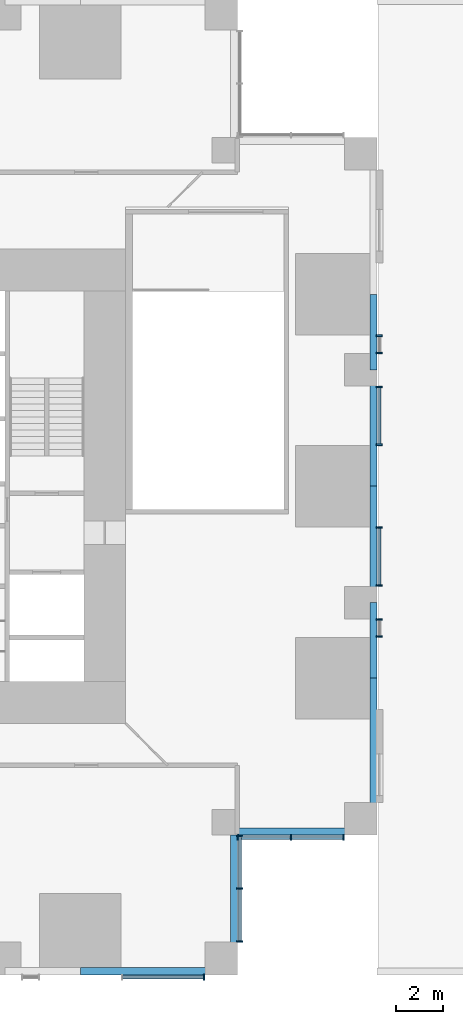
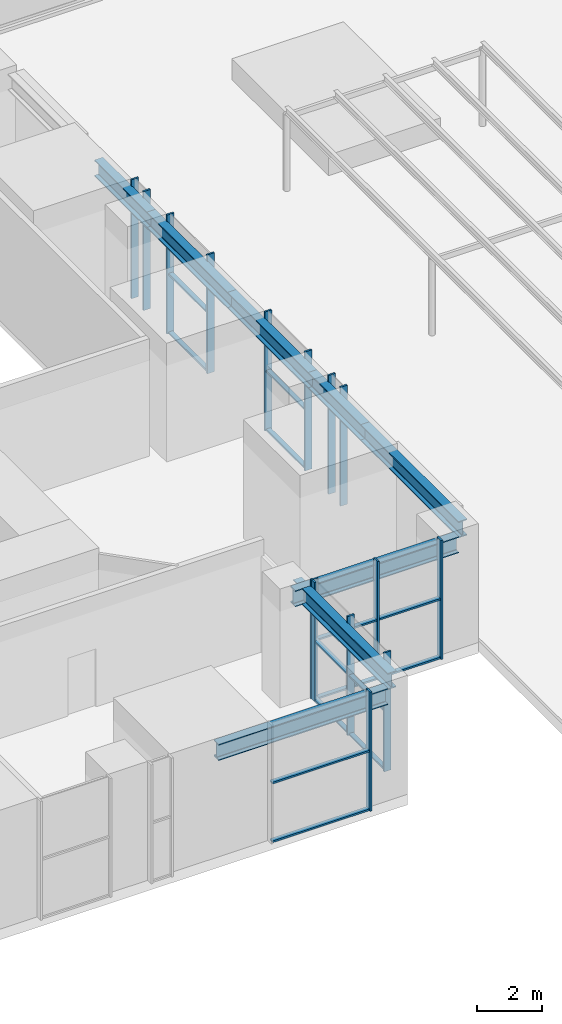
# One storey, part 4 of 14: 29 members, 8 beams, 7 elements without a shape of their own.
"""IFC4 building model written with IfcOpenShell, lengths in metres."""

from ifc_helpers import new_model, si_unit, direction, frame, origin, origin_2d, place, context, subcontext, project, spatial, rectangle, i_section, extrude, material, material_profile, profile_set, type_object, element, aggregate, save


model = new_model("IFC4")

# Units and contexts
model_context = context("Model", 3, precision=1e-05, world=origin(), true_north=direction((0.0, 1.0)))
body_context = subcontext(model_context, "Body", "Model", "MODEL_VIEW")
ifc_project = project(units=[si_unit("LENGTHUNIT", "METRE"), si_unit("AREAUNIT", "SQUARE_METRE"), si_unit("VOLUMEUNIT", "CUBIC_METRE"), si_unit("PLANEANGLEUNIT", "RADIAN"), si_unit("MASSUNIT", "GRAM", prefix="KILO")], contexts=[model_context])

# Site, building, storey
site_placement = place(None, origin())
site = spatial("IfcSite", under=ifc_project, at=site_placement, CompositionType="ELEMENT")
building_placement = place(site_placement, origin())
building = spatial("IfcBuilding", under=site, at=building_placement, Name="Svetlomir Tower", CompositionType="ELEMENT")
storey_placement = place(building_placement, frame((0.0, 0.0, 18.0)))
storey = spatial("IfcBuildingStorey", under=building, at=storey_placement, Name="L03", CompositionType="ELEMENT", Elevation=18.0)

# Curtain wall, member
ifc_material_1 = material(Name="Bronze anodised aluminium curtain wall", Category="aluminium")
curtain_wall_type = type_object("IfcCurtainWallType", Name="CURTAIN WALL CW2 SKY LOBBY", PredefinedType="NOTDEFINED", material=ifc_material_1)
curtain_wall_1_placement = place(storey_placement, origin())
curtain_wall_1 = element("IfcCurtainWall", 1, at=curtain_wall_1_placement, inside=storey, type_object=curtain_wall_type, Name="Curtain wall CW2 L03", PredefinedType="NOTDEFINED")
ifc_material_2 = material(Name="Bronze anodised aluminium", Category="aluminium")
ifc_material_profile_1 = material_profile(ifc_material_2, rectangle(XDim=0.06494140625, YDim=0.25, at=origin_2d()), Name="AL 65x250")
ifc_profile_set_1 = profile_set([ifc_material_profile_1], Name="Bronze anodised aluminium 6063-T6")
member_type_1 = type_object("IfcMemberType", Name="CW2 MULLION 65x250", PredefinedType="MULLION", material=ifc_profile_set_1)
member_1_placement = place(storey_placement, frame((34.5673828125, -0.10009765625, 0.0), z_axis=(0.0, 0.0, 1.0), x_axis=(1.0, 0.0, 0.0)))
member_1 = element("IfcMember", 2, at=member_1_placement, type_object=member_type_1, Name="CW2 mullion 2", PredefinedType="MULLION", context=body_context, shape_type="SweptSolid", body=[
    extrude(rectangle(XDim=0.06494140625, YDim=0.25, at=origin_2d()), origin(), (0.0, 0.0, 1.0), 4.5),
])

# Curtain wall, members
curtain_wall_2_placement = place(storey_placement, origin())
curtain_wall_2 = element("IfcCurtainWall", 3, at=curtain_wall_2_placement, inside=storey, type_object=curtain_wall_type, Name="Curtain wall CW2 L03", PredefinedType="NOTDEFINED")
member_2_placement = place(storey_placement, frame((36.10009765625, 1.4326171875, 0.0), z_axis=(0.0, 0.0, 1.0), x_axis=(0.0, 1.0, 0.0)))
member_2 = element("IfcMember", 4, at=member_2_placement, type_object=member_type_1, Name="CW2 mullion 1", PredefinedType="MULLION", context=body_context, shape_type="SweptSolid", body=[
    extrude(rectangle(XDim=0.06494140625, YDim=0.25, at=origin_2d()), origin(), (0.0, 0.0, 1.0), 4.5),
])
member_3_placement = place(storey_placement, frame((36.10009765625, 3.699951171875, 0.0), z_axis=(0.0, 0.0, 1.0), x_axis=(0.0, 1.0, 0.0)))
member_3 = element("IfcMember", 5, at=member_3_placement, type_object=member_type_1, Name="CW2 mullion 2", PredefinedType="MULLION", context=body_context, shape_type="SweptSolid", body=[
    extrude(rectangle(XDim=0.06494140625, YDim=0.25, at=origin_2d()), origin(), (0.0, 0.0, 1.0), 4.5),
])
member_4_placement = place(storey_placement, frame((36.10009765625, 5.967529296875, 0.0), z_axis=(0.0, 0.0, 1.0), x_axis=(0.0, 1.0, 0.0)))
member_4 = element("IfcMember", 6, at=member_4_placement, type_object=member_type_1, Name="CW2 mullion 3", PredefinedType="MULLION", context=body_context, shape_type="SweptSolid", body=[
    extrude(rectangle(XDim=0.06494140625, YDim=0.25, at=origin_2d()), origin(), (0.0, 0.0, 1.0), 4.5),
])

curtain_wall_3_placement = place(storey_placement, origin())
curtain_wall_3 = element("IfcCurtainWall", 7, at=curtain_wall_3_placement, inside=storey, type_object=curtain_wall_type, Name="Curtain wall CW2 L03", PredefinedType="NOTDEFINED")
member_5_placement = place(storey_placement, frame((36.032470703125, 5.89990234375, 0.0), z_axis=(0.0, 0.0, 1.0), x_axis=(1.0, 0.0, 0.0)))
member_5 = element("IfcMember", 8, at=member_5_placement, type_object=member_type_1, Name="CW2 mullion 1", PredefinedType="MULLION", context=body_context, shape_type="SweptSolid", body=[
    extrude(rectangle(XDim=0.06494140625, YDim=0.25, at=origin_2d()), origin(), (0.0, 0.0, 1.0), 4.5),
])
member_6_placement = place(storey_placement, frame((38.300048828125, 5.89990234375, 0.0), z_axis=(0.0, 0.0, 1.0), x_axis=(1.0, 0.0, 0.0)))
member_6 = element("IfcMember", 9, at=member_6_placement, type_object=member_type_1, Name="CW2 mullion 2", PredefinedType="MULLION", context=body_context, shape_type="SweptSolid", body=[
    extrude(rectangle(XDim=0.06494140625, YDim=0.25, at=origin_2d()), origin(), (0.0, 0.0, 1.0), 4.5),
])
member_7_placement = place(storey_placement, frame((40.5673828125, 5.89990234375, 0.0), z_axis=(0.0, 0.0, 1.0), x_axis=(1.0, 0.0, 0.0)))
member_7 = element("IfcMember", 10, at=member_7_placement, type_object=member_type_1, Name="CW2 mullion 3", PredefinedType="MULLION", context=body_context, shape_type="SweptSolid", body=[
    extrude(rectangle(XDim=0.06494140625, YDim=0.25, at=origin_2d()), origin(), (0.0, 0.0, 1.0), 4.5),
])

curtain_wall_4_placement = place(storey_placement, origin())
curtain_wall_4 = element("IfcCurtainWall", 11, at=curtain_wall_4_placement, inside=storey, type_object=curtain_wall_type, Name="Curtain wall CW2 L03", PredefinedType="NOTDEFINED")
member_8_placement = place(storey_placement, frame((42.10009765625, 14.532470703125, 0.0), z_axis=(0.0, 0.0, 1.0), x_axis=(0.0, 1.0, 0.0)))
member_8 = element("IfcMember", 12, at=member_8_placement, type_object=member_type_1, Name="CW2 mullion 1", PredefinedType="MULLION", context=body_context, shape_type="SweptSolid", body=[
    extrude(rectangle(XDim=0.06494140625, YDim=0.25, at=origin_2d()), origin(), (0.0, 0.0, 1.0), 4.5),
])
member_9_placement = place(storey_placement, frame((42.10009765625, 15.267578125, 0.0), z_axis=(0.0, 0.0, 1.0), x_axis=(0.0, 1.0, 0.0)))
member_9 = element("IfcMember", 13, at=member_9_placement, type_object=member_type_1, Name="CW2 mullion 2", PredefinedType="MULLION", context=body_context, shape_type="SweptSolid", body=[
    extrude(rectangle(XDim=0.06494140625, YDim=0.25, at=origin_2d()), origin(), (0.0, 0.0, 1.0), 4.5),
])
aggregate(curtain_wall_4, [member_8, member_9])

curtain_wall_5_placement = place(storey_placement, origin())
curtain_wall_5 = element("IfcCurtainWall", 14, at=curtain_wall_5_placement, inside=storey, type_object=curtain_wall_type, Name="Curtain wall CW2 L03", PredefinedType="NOTDEFINED")
member_10_placement = place(storey_placement, frame((42.10009765625, 16.732421875, 0.0), z_axis=(0.0, 0.0, 1.0), x_axis=(0.0, 1.0, 0.0)))
member_10 = element("IfcMember", 15, at=member_10_placement, type_object=member_type_1, Name="CW2 mullion 1", PredefinedType="MULLION", context=body_context, shape_type="SweptSolid", body=[
    extrude(rectangle(XDim=0.06494140625, YDim=0.25, at=origin_2d()), origin(), (0.0, 0.0, 1.0), 4.5),
])
member_11_placement = place(storey_placement, frame((42.10009765625, 19.217529296875, 0.0), z_axis=(0.0, 0.0, 1.0), x_axis=(0.0, 1.0, 0.0)))
member_11 = element("IfcMember", 16, at=member_11_placement, type_object=member_type_1, Name="CW2 mullion 2", PredefinedType="MULLION", context=body_context, shape_type="SweptSolid", body=[
    extrude(rectangle(XDim=0.06494140625, YDim=0.25, at=origin_2d()), origin(), (0.0, 0.0, 1.0), 4.5),
])

curtain_wall_6_placement = place(storey_placement, origin())
curtain_wall_6 = element("IfcCurtainWall", 17, at=curtain_wall_6_placement, inside=storey, type_object=curtain_wall_type, Name="Curtain wall CW2 L03", PredefinedType="NOTDEFINED")
member_12_placement = place(storey_placement, frame((42.10009765625, 22.782470703125, 0.0), z_axis=(0.0, 0.0, 1.0), x_axis=(0.0, 1.0, 0.0)))
member_12 = element("IfcMember", 18, at=member_12_placement, type_object=member_type_1, Name="CW2 mullion 1", PredefinedType="MULLION", context=body_context, shape_type="SweptSolid", body=[
    extrude(rectangle(XDim=0.06494140625, YDim=0.25, at=origin_2d()), origin(), (0.0, 0.0, 1.0), 4.5),
])
member_13_placement = place(storey_placement, frame((42.10009765625, 25.267578125, 0.0), z_axis=(0.0, 0.0, 1.0), x_axis=(0.0, 1.0, 0.0)))
member_13 = element("IfcMember", 19, at=member_13_placement, type_object=member_type_1, Name="CW2 mullion 2", PredefinedType="MULLION", context=body_context, shape_type="SweptSolid", body=[
    extrude(rectangle(XDim=0.06494140625, YDim=0.25, at=origin_2d()), origin(), (0.0, 0.0, 1.0), 4.5),
])

curtain_wall_7_placement = place(storey_placement, origin())
curtain_wall_7 = element("IfcCurtainWall", 20, at=curtain_wall_7_placement, inside=storey, type_object=curtain_wall_type, Name="Curtain wall CW2 L03", PredefinedType="NOTDEFINED")
member_14_placement = place(storey_placement, frame((42.10009765625, 26.732421875, 0.0), z_axis=(0.0, 0.0, 1.0), x_axis=(0.0, 1.0, 0.0)))
member_14 = element("IfcMember", 21, at=member_14_placement, type_object=member_type_1, Name="CW2 mullion 1", PredefinedType="MULLION", context=body_context, shape_type="SweptSolid", body=[
    extrude(rectangle(XDim=0.06494140625, YDim=0.25, at=origin_2d()), origin(), (0.0, 0.0, 1.0), 4.5),
])
member_15_placement = place(storey_placement, frame((42.10009765625, 27.467529296875, 0.0), z_axis=(0.0, 0.0, 1.0), x_axis=(0.0, 1.0, 0.0)))
member_15 = element("IfcMember", 22, at=member_15_placement, type_object=member_type_1, Name="CW2 mullion 2", PredefinedType="MULLION", context=body_context, shape_type="SweptSolid", body=[
    extrude(rectangle(XDim=0.06494140625, YDim=0.25, at=origin_2d()), origin(), (0.0, 0.0, 1.0), 4.5),
])
aggregate(curtain_wall_7, [member_14, member_15])

# Member
ifc_material_3 = material(Name="Bronze anodised aluminium", Category="aluminium")
ifc_material_profile_2 = material_profile(ifc_material_3, rectangle(XDim=0.159912109375, YDim=0.06494140625, at=origin_2d()), Name="AL 160x65")
ifc_profile_set_2 = profile_set([ifc_material_profile_2], Name="Bronze anodised aluminium 6063-T6")
member_type_2 = type_object("IfcMemberType", Name="CW2 TRANSOM 65x160", PredefinedType="USERDEFINED", material=ifc_profile_set_2)
member_16_placement = place(storey_placement, frame((31.06494140625, -0.10009765625, 0.032470703125), z_axis=(1.0, 0.0, 0.0), x_axis=(0.0, 1.0, 0.0)))
member_16 = element("IfcMember", 23, at=member_16_placement, type_object=member_type_2, Name="CW2 transom 1.1", ObjectType="TRANSOM", PredefinedType="USERDEFINED", context=body_context, shape_type="SweptSolid", body=[
    extrude(rectangle(XDim=0.159912109375, YDim=0.06494140625, at=origin_2d()), origin(), (0.0, 0.0, 1.0), 3.469970703125),
])

member_17_placement = place(storey_placement, frame((31.06494140625, -0.10009765625, 2.25), z_axis=(1.0, 0.0, 0.0), x_axis=(0.0, 1.0, 0.0)))
member_17 = element("IfcMember", 24, at=member_17_placement, type_object=member_type_2, Name="CW2 transom 1.2", ObjectType="TRANSOM", PredefinedType="USERDEFINED", context=body_context, shape_type="SweptSolid", body=[
    extrude(rectangle(XDim=0.159912109375, YDim=0.06494140625, at=origin_2d()), origin(), (0.0, 0.0, 1.0), 3.469970703125),
])

aggregate(curtain_wall_1, [member_1, member_16, member_17])

member_18_placement = place(storey_placement, frame((36.10009765625, 1.465087890625, 0.032470703125), z_axis=(0.0, 1.0, 0.0), x_axis=(-1.0, 0.0, 0.0)))
member_18 = element("IfcMember", 25, at=member_18_placement, type_object=member_type_2, Name="CW2 transom 1.1", ObjectType="TRANSOM", PredefinedType="USERDEFINED", context=body_context, shape_type="SweptSolid", body=[
    extrude(rectangle(XDim=0.159912109375, YDim=0.06494140625, at=origin_2d()), origin(), (0.0, 0.0, 1.0), 2.202392578125),
])

member_19_placement = place(storey_placement, frame((36.10009765625, 1.465087890625, 2.25), z_axis=(0.0, 1.0, 0.0), x_axis=(-1.0, 0.0, 0.0)))
member_19 = element("IfcMember", 26, at=member_19_placement, type_object=member_type_2, Name="CW2 transom 1.2", ObjectType="TRANSOM", PredefinedType="USERDEFINED", context=body_context, shape_type="SweptSolid", body=[
    extrude(rectangle(XDim=0.159912109375, YDim=0.06494140625, at=origin_2d()), origin(), (0.0, 0.0, 1.0), 2.202392578125),
])

member_20_placement = place(storey_placement, frame((36.10009765625, 3.732421875, 0.032470703125), z_axis=(0.0, 1.0, 0.0), x_axis=(-1.0, 0.0, 0.0)))
member_20 = element("IfcMember", 27, at=member_20_placement, type_object=member_type_2, Name="CW2 transom 2.1", ObjectType="TRANSOM", PredefinedType="USERDEFINED", context=body_context, shape_type="SweptSolid", body=[
    extrude(rectangle(XDim=0.159912109375, YDim=0.06494140625, at=origin_2d()), origin(), (0.0, 0.0, 1.0), 2.20263671875),
])

member_21_placement = place(storey_placement, frame((36.10009765625, 3.732421875, 2.25), z_axis=(0.0, 1.0, 0.0), x_axis=(-1.0, 0.0, 0.0)))
member_21 = element("IfcMember", 28, at=member_21_placement, type_object=member_type_2, Name="CW2 transom 2.2", ObjectType="TRANSOM", PredefinedType="USERDEFINED", context=body_context, shape_type="SweptSolid", body=[
    extrude(rectangle(XDim=0.159912109375, YDim=0.06494140625, at=origin_2d()), origin(), (0.0, 0.0, 1.0), 2.20263671875),
])

aggregate(curtain_wall_2, [member_2, member_3, member_4, member_18, member_19, member_20, member_21])

member_22_placement = place(storey_placement, frame((36.06494140625, 5.89990234375, 0.032470703125), z_axis=(1.0, 0.0, 0.0), x_axis=(0.0, 1.0, 0.0)))
member_22 = element("IfcMember", 29, at=member_22_placement, type_object=member_type_2, Name="CW2 transom 1.1", ObjectType="TRANSOM", PredefinedType="USERDEFINED", context=body_context, shape_type="SweptSolid", body=[
    extrude(rectangle(XDim=0.159912109375, YDim=0.06494140625, at=origin_2d()), origin(), (0.0, 0.0, 1.0), 2.20263671875),
])

member_23_placement = place(storey_placement, frame((36.06494140625, 5.89990234375, 2.25), z_axis=(1.0, 0.0, 0.0), x_axis=(0.0, 1.0, 0.0)))
member_23 = element("IfcMember", 30, at=member_23_placement, type_object=member_type_2, Name="CW2 transom 1.2", ObjectType="TRANSOM", PredefinedType="USERDEFINED", context=body_context, shape_type="SweptSolid", body=[
    extrude(rectangle(XDim=0.159912109375, YDim=0.06494140625, at=origin_2d()), origin(), (0.0, 0.0, 1.0), 2.20263671875),
])

member_24_placement = place(storey_placement, frame((38.33251953125, 5.89990234375, 0.032470703125), z_axis=(1.0, 0.0, 0.0), x_axis=(0.0, 1.0, 0.0)))
member_24 = element("IfcMember", 31, at=member_24_placement, type_object=member_type_2, Name="CW2 transom 2.1", ObjectType="TRANSOM", PredefinedType="USERDEFINED", context=body_context, shape_type="SweptSolid", body=[
    extrude(rectangle(XDim=0.159912109375, YDim=0.06494140625, at=origin_2d()), origin(), (0.0, 0.0, 1.0), 2.202392578125),
])

member_25_placement = place(storey_placement, frame((38.33251953125, 5.89990234375, 2.25), z_axis=(1.0, 0.0, 0.0), x_axis=(0.0, 1.0, 0.0)))
member_25 = element("IfcMember", 32, at=member_25_placement, type_object=member_type_2, Name="CW2 transom 2.2", ObjectType="TRANSOM", PredefinedType="USERDEFINED", context=body_context, shape_type="SweptSolid", body=[
    extrude(rectangle(XDim=0.159912109375, YDim=0.06494140625, at=origin_2d()), origin(), (0.0, 0.0, 1.0), 2.202392578125),
])

aggregate(curtain_wall_3, [member_5, member_6, member_7, member_22, member_23, member_24, member_25])

member_26_placement = place(storey_placement, frame((42.10009765625, 16.764892578125, 0.032470703125), z_axis=(0.0, 1.0, 0.0), x_axis=(-1.0, 0.0, 0.0)))
member_26 = element("IfcMember", 33, at=member_26_placement, type_object=member_type_2, Name="CW2 transom 1.1", ObjectType="TRANSOM", PredefinedType="USERDEFINED", context=body_context, shape_type="SweptSolid", body=[
    extrude(rectangle(XDim=0.159912109375, YDim=0.06494140625, at=origin_2d()), origin(), (0.0, 0.0, 1.0), 2.420166015625),
])

member_27_placement = place(storey_placement, frame((42.10009765625, 16.764892578125, 2.25), z_axis=(0.0, 1.0, 0.0), x_axis=(-1.0, 0.0, 0.0)))
member_27 = element("IfcMember", 34, at=member_27_placement, type_object=member_type_2, Name="CW2 transom 1.2", ObjectType="TRANSOM", PredefinedType="USERDEFINED", context=body_context, shape_type="SweptSolid", body=[
    extrude(rectangle(XDim=0.159912109375, YDim=0.06494140625, at=origin_2d()), origin(), (0.0, 0.0, 1.0), 2.420166015625),
])

aggregate(curtain_wall_5, [member_10, member_11, member_26, member_27])

member_28_placement = place(storey_placement, frame((42.10009765625, 22.81494140625, 0.032470703125), z_axis=(0.0, 1.0, 0.0), x_axis=(-1.0, 0.0, 0.0)))
member_28 = element("IfcMember", 35, at=member_28_placement, type_object=member_type_2, Name="CW2 transom 1.1", ObjectType="TRANSOM", PredefinedType="USERDEFINED", context=body_context, shape_type="SweptSolid", body=[
    extrude(rectangle(XDim=0.159912109375, YDim=0.06494140625, at=origin_2d()), origin(), (0.0, 0.0, 1.0), 2.420166015625),
])

member_29_placement = place(storey_placement, frame((42.10009765625, 22.81494140625, 2.25), z_axis=(0.0, 1.0, 0.0), x_axis=(-1.0, 0.0, 0.0)))
member_29 = element("IfcMember", 36, at=member_29_placement, type_object=member_type_2, Name="CW2 transom 1.2", ObjectType="TRANSOM", PredefinedType="USERDEFINED", context=body_context, shape_type="SweptSolid", body=[
    extrude(rectangle(XDim=0.159912109375, YDim=0.06494140625, at=origin_2d()), origin(), (0.0, 0.0, 1.0), 2.420166015625),
])

aggregate(curtain_wall_6, [member_12, member_13, member_28, member_29])

# Beams
ifc_material_4 = material(Name="Steel S355", Category="steel")
ifc_material_profile_3 = material_profile(ifc_material_4, i_section(OverallWidth=0.304931640625, OverallDepth=0.6201171875, WebThickness=0.02099609375, FlangeThickness=0.0400390625, FilletRadius=0.027099609375, at=origin_2d()), Name="HEM 600")
ifc_profile_set_3 = profile_set([ifc_material_profile_3], Name="Steel S355")
beam_type = type_object("IfcBeamType", Name="EDGE BEAM HEM 600", PredefinedType="SPANDREL", material=ifc_profile_set_3)
beam_1_placement = place(storey_placement, frame((41.847412109375, 6.699951171875, 3.93994140625), z_axis=(0.0, 1.0, 0.0), x_axis=(-1.0, 0.0, 0.0)))
element("IfcBeam", 37, at=beam_1_placement, inside=storey, type_object=beam_type, Name="Edge beam 42/6 to 42/11 under L04", PredefinedType="SPANDREL", context=body_context, shape_type="SweptSolid", body=[
    extrude(i_section(OverallWidth=0.304931640625, OverallDepth=0.6201171875, WebThickness=0.02099609375, FlangeThickness=0.0400390625, FilletRadius=0.027099609375, at=origin_2d()), origin(), (0.0, 0.0, 1.0), 6.050048828125),
])
beam_2_placement = place(storey_placement, frame((41.847412109375, 12.75, 3.93994140625), z_axis=(0.0, 1.0, 0.0), x_axis=(-1.0, 0.0, 0.0)))
element("IfcBeam", 38, at=beam_2_placement, inside=storey, type_object=beam_type, Name="Edge beam 42/11 to 42/16 under L04", PredefinedType="SPANDREL", context=body_context, shape_type="SweptSolid", body=[
    extrude(i_section(OverallWidth=0.304931640625, OverallDepth=0.6201171875, WebThickness=0.02099609375, FlangeThickness=0.0400390625, FilletRadius=0.027099609375, at=origin_2d()), origin(), (0.0, 0.0, 1.0), 3.25),
])
for number, where, z_axis, x_axis, name in (
    (39, (41.847412109375, 16.0, 3.93994140625), (0.0, 1.0, 0.0), (-1.0, 0.0, 0.0), "Edge beam 42/16 to 42/21 under L04"),
    (40, (41.847412109375, 21.0, 3.93994140625), (0.0, 1.0, 0.0), (-1.0, 0.0, 0.0), "Edge beam 42/21 to 42/26 under L04"),
):
    element("IfcBeam", number, at=place(storey_placement, frame(where, z_axis=z_axis, x_axis=x_axis)), inside=storey, type_object=beam_type, Name=name, PredefinedType="SPANDREL", context=body_context, shape_type="SweptSolid", body=[
        extrude(i_section(OverallWidth=0.304931640625, OverallDepth=0.6201171875, WebThickness=0.02099609375, FlangeThickness=0.0400390625, FilletRadius=0.027099609375, at=origin_2d()), origin(), (0.0, 0.0, 1.0), 5.0),
    ])
beam_3_placement = place(storey_placement, frame((41.847412109375, 26.0, 3.93994140625), z_axis=(0.0, 1.0, 0.0), x_axis=(-1.0, 0.0, 0.0)))
element("IfcBeam", 41, at=beam_3_placement, inside=storey, type_object=beam_type, Name="Edge beam 42/26 to 42/31 under L04", PredefinedType="SPANDREL", context=body_context, shape_type="SweptSolid", body=[
    extrude(i_section(OverallWidth=0.304931640625, OverallDepth=0.6201171875, WebThickness=0.02099609375, FlangeThickness=0.0400390625, FilletRadius=0.027099609375, at=origin_2d()), origin(), (0.0, 0.0, 1.0), 3.25),
])
beam_4_placement = place(storey_placement, frame((29.25, 0.152587890625, 3.93994140625), z_axis=(1.0, 0.0, 0.0), x_axis=(0.0, 1.0, 0.0)))
element("IfcBeam", 42, at=beam_4_placement, inside=storey, type_object=beam_type, Name="Edge beam 31/0 to 36/0 under L04", PredefinedType="SPANDREL", context=body_context, shape_type="SweptSolid", body=[
    extrude(i_section(OverallWidth=0.304931640625, OverallDepth=0.6201171875, WebThickness=0.02099609375, FlangeThickness=0.0400390625, FilletRadius=0.027099609375, at=origin_2d()), origin(), (0.0, 0.0, 1.0), 6.050048828125),
])
for number, where, z_axis, x_axis, name in (
    (43, (35.847412109375, 0.699951171875, 3.93994140625), (0.0, 1.0, 0.0), (-1.0, 0.0, 0.0), "Edge beam 36/0 to 36/6 under L04"),
    (44, (41.300048828125, 6.152587890625, 3.93994140625), (-1.0, 0.0, 0.0), (0.0, -1.0, 0.0), "Edge beam 42/6 to 36/6 under L04"),
):
    element("IfcBeam", number, at=place(storey_placement, frame(where, z_axis=z_axis, x_axis=x_axis)), inside=storey, type_object=beam_type, Name=name, PredefinedType="SPANDREL", context=body_context, shape_type="SweptSolid", body=[
        extrude(i_section(OverallWidth=0.304931640625, OverallDepth=0.6201171875, WebThickness=0.02099609375, FlangeThickness=0.0400390625, FilletRadius=0.027099609375, at=origin_2d()), origin(), (0.0, 0.0, 1.0), 5.85009765625),
    ])

save(model, "model.ifc")
